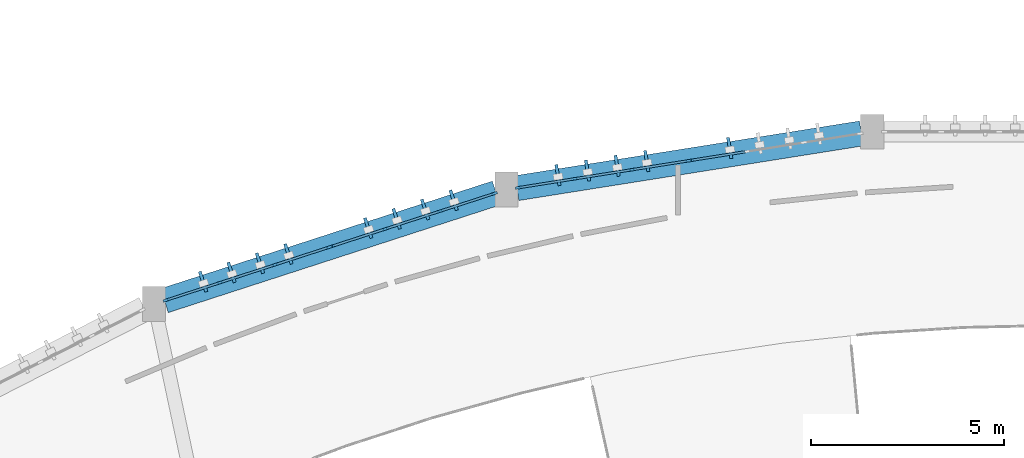
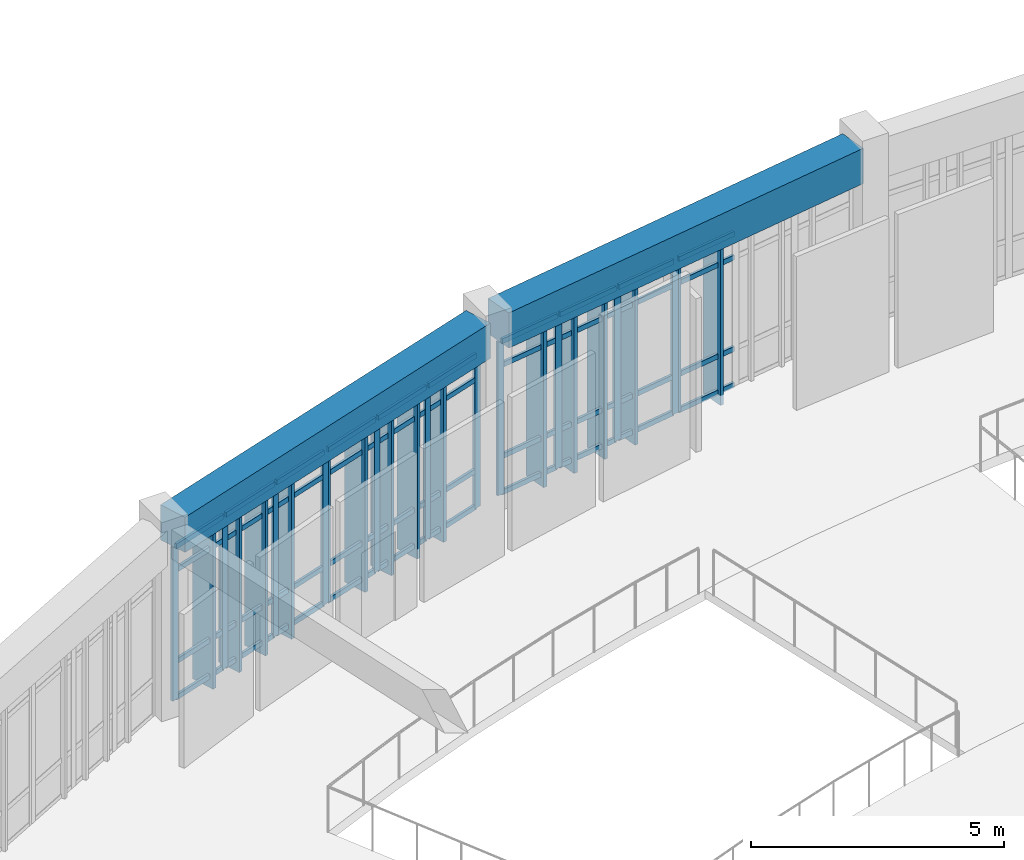
# One storey, part 19 of 65: 66 members, 2 beams, 4 elements without a shape of their own.
"""IFC4 building model written with IfcOpenShell, lengths in metres."""

from ifc_helpers import new_model, si_unit, direction, frame, origin, origin_2d, place, context, subcontext, project, spatial, rectangle, extrude, material, layer, layer_set, material_profile, profile_set, type_object, element, aggregate, save


model = new_model("IFC4")

# Units and contexts
model_context = context("Model", 3, precision=1e-05, world=origin(), true_north=direction((0.0, 1.0)))
body_context = subcontext(model_context, "Body", "Model", "MODEL_VIEW")
ifc_project = project(units=[si_unit("LENGTHUNIT", "METRE"), si_unit("AREAUNIT", "SQUARE_METRE"), si_unit("VOLUMEUNIT", "CUBIC_METRE"), si_unit("PLANEANGLEUNIT", "RADIAN"), si_unit("MASSUNIT", "GRAM", prefix="KILO")], contexts=[model_context])

# Site, building, storey
site_placement = place(None, origin())
site = spatial("IfcSite", under=ifc_project, at=site_placement, CompositionType="ELEMENT")
building_placement = place(site_placement, origin())
building = spatial("IfcBuilding", under=site, at=building_placement, Name="Miralva Faculty of Natural Sciences", CompositionType="ELEMENT")
storey_placement = place(building_placement, frame((0.0, 0.0, 10.199951171875)))
storey = spatial("IfcBuildingStorey", under=building, at=storey_placement, Name="L02", CompositionType="ELEMENT", Elevation=10.199951171875)

# Beams
ifc_material_1 = material(Name="Concrete C40/50", Category="concrete")
ifc_material_profile_1 = material_profile(ifc_material_1, rectangle(XDim=0.64990234375, YDim=0.85009765625, at=origin_2d()), Name="RC 650x850")
ifc_profile_set_1 = profile_set([ifc_material_profile_1], Name="Concrete C40/50")
beam_type = type_object("IfcBeamType", Name="BM-SP03", PredefinedType="SPANDREL", material=ifc_profile_set_1)
beam_1_placement = place(storey_placement, frame((84.9375, 39.7666015625, 4.135009765625), z_axis=(-0.987637724409, -0.156753709124, 0.0), x_axis=(0.156753709124, -0.987637724409, 0.0)))
element("IfcBeam", 1, at=beam_1_placement, inside=storey, type_object=beam_type, Name="Curved chord girder SHOUT L02-6", PredefinedType="SPANDREL", context=body_context, shape_type="SweptSolid", body=[
    extrude(rectangle(XDim=0.64990234375, YDim=0.85009765625, at=origin_2d()), origin(), (0.0, 0.0, 1.0), 9.016357421875),
])
beam_2_placement = place(storey_placement, frame((75.49755859375, 38.224853515625, 4.135009765625), z_axis=(-0.951264483171, -0.30837620378, 0.0), x_axis=(0.30837620378, -0.951264483171, 0.0)))
element("IfcBeam", 2, at=beam_2_placement, inside=storey, type_object=beam_type, Name="Curved chord girder SHOUT L02-7", PredefinedType="SPANDREL", context=body_context, shape_type="SweptSolid", body=[
    extrude(rectangle(XDim=0.64990234375, YDim=0.85009765625, at=origin_2d()), origin(), (0.0, 0.0, 1.0), 9.01416015625),
])

# Curtain wall, members
ifc_material_2 = material(Name="Laminated solar-control glass", Category="glass")
ifc_layer = layer(ifc_material_2, 0.179931640625, Name="CW-ARC-L01")
ifc_layer_set = layer_set([ifc_layer], Name="Laminated solar-control glass")
curtain_wall_type = type_object("IfcCurtainWallType", Name="CW-ARC-L01", PredefinedType="USERDEFINED", material=ifc_layer_set)
curtain_wall_1_placement = place(storey_placement, origin())
curtain_wall_1 = element("IfcCurtainWall", 3, at=curtain_wall_1_placement, inside=storey, type_object=curtain_wall_type, Name="Curtain wall CW-02 L02-81", ObjectType="UNITISED CURTAIN WALL", PredefinedType="USERDEFINED")
ifc_material_3 = material(Name="Anodised aluminium", Category="aluminium")
ifc_material_profile_2 = material_profile(ifc_material_3, rectangle(XDim=0.06494140625, YDim=0.159912109375, at=origin_2d()), Name="MULLION 65x160")
ifc_profile_set_2 = profile_set([ifc_material_profile_2], Name="Anodised aluminium")
member_type_1 = type_object("IfcMemberType", Name="CW-M02", PredefinedType="MULLION", material=ifc_profile_set_2)
member_1_placement = place(storey_placement, frame((66.9677734375, 35.457763671875, 0.0), z_axis=(0.0, 0.0, 1.0), x_axis=(-0.309011053363, 0.951058446626, 0.0)))
member_1 = element("IfcMember", 4, at=member_1_placement, type_object=member_type_1, Name="CW-02 mullion 1", PredefinedType="MULLION", context=body_context, shape_type="SweptSolid", body=[
    extrude(rectangle(XDim=0.06494140625, YDim=0.159912109375, at=origin_2d()), origin(), (0.0, 0.0, 1.0), 3.705078125),
])
member_2_placement = place(storey_placement, frame((68.360595703125, 35.910400390625, 0.0), z_axis=(0.0, 0.0, 1.0), x_axis=(-0.309011053363, 0.951058446626, 0.0)))
member_2 = element("IfcMember", 5, at=member_2_placement, type_object=member_type_1, Name="CW-02 mullion 2", PredefinedType="MULLION", context=body_context, shape_type="SweptSolid", body=[
    extrude(rectangle(XDim=0.06494140625, YDim=0.159912109375, at=origin_2d()), origin(), (0.0, 0.0, 1.0), 3.705078125),
])
member_3_placement = place(storey_placement, frame((69.784423828125, 36.373046875, 0.0), z_axis=(0.0, 0.0, 1.0), x_axis=(-0.309011053363, 0.951058446626, 0.0)))
member_3 = element("IfcMember", 6, at=member_3_placement, type_object=member_type_1, Name="CW-02 mullion 3", PredefinedType="MULLION", context=body_context, shape_type="SweptSolid", body=[
    extrude(rectangle(XDim=0.06494140625, YDim=0.159912109375, at=origin_2d()), origin(), (0.0, 0.0, 1.0), 3.705078125),
])
member_4_placement = place(storey_placement, frame((71.17724609375, 36.825439453125, 0.0), z_axis=(0.0, 0.0, 1.0), x_axis=(-0.309011053363, 0.951058446626, 0.0)))
member_4 = element("IfcMember", 7, at=member_4_placement, type_object=member_type_1, Name="CW-02 mullion 4", PredefinedType="MULLION", context=body_context, shape_type="SweptSolid", body=[
    extrude(rectangle(XDim=0.06494140625, YDim=0.159912109375, at=origin_2d()), origin(), (0.0, 0.0, 1.0), 3.705078125),
])

curtain_wall_2_placement = place(storey_placement, origin())
curtain_wall_2 = element("IfcCurtainWall", 8, at=curtain_wall_2_placement, inside=storey, type_object=curtain_wall_type, Name="Curtain wall CW-02 L02-82", ObjectType="UNITISED CURTAIN WALL", PredefinedType="USERDEFINED")
member_5_placement = place(storey_placement, frame((71.234130859375, 36.84423828125, 0.0), z_axis=(0.0, 0.0, 1.0), x_axis=(-0.309005603375, 0.95106021738, 0.0)))
member_5 = element("IfcMember", 9, at=member_5_placement, type_object=member_type_1, Name="CW-02 mullion 1", PredefinedType="MULLION", context=body_context, shape_type="SweptSolid", body=[
    extrude(rectangle(XDim=0.06494140625, YDim=0.159912109375, at=origin_2d()), origin(), (0.0, 0.0, 1.0), 3.705078125),
])
member_6_placement = place(storey_placement, frame((72.628662109375, 37.297119140625, 0.0), z_axis=(0.0, 0.0, 1.0), x_axis=(-0.309005603375, 0.95106021738, 0.0)))
member_6 = element("IfcMember", 10, at=member_6_placement, type_object=member_type_1, Name="CW-02 mullion 2", PredefinedType="MULLION", context=body_context, shape_type="SweptSolid", body=[
    extrude(rectangle(XDim=0.06494140625, YDim=0.159912109375, at=origin_2d()), origin(), (0.0, 0.0, 1.0), 3.705078125),
])
member_7_placement = place(storey_placement, frame((74.053955078125, 37.76025390625, 0.0), z_axis=(0.0, 0.0, 1.0), x_axis=(-0.309005603375, 0.95106021738, 0.0)))
member_7 = element("IfcMember", 11, at=member_7_placement, type_object=member_type_1, Name="CW-02 mullion 3", PredefinedType="MULLION", context=body_context, shape_type="SweptSolid", body=[
    extrude(rectangle(XDim=0.06494140625, YDim=0.159912109375, at=origin_2d()), origin(), (0.0, 0.0, 1.0), 3.705078125),
])
member_8_placement = place(storey_placement, frame((75.448486328125, 38.21337890625, 0.0), z_axis=(0.0, 0.0, 1.0), x_axis=(-0.309005603375, 0.95106021738, 0.0)))
member_8 = element("IfcMember", 12, at=member_8_placement, type_object=member_type_1, Name="CW-02 mullion 4", PredefinedType="MULLION", context=body_context, shape_type="SweptSolid", body=[
    extrude(rectangle(XDim=0.06494140625, YDim=0.159912109375, at=origin_2d()), origin(), (0.0, 0.0, 1.0), 3.705078125),
])

curtain_wall_3_placement = place(storey_placement, origin())
curtain_wall_3 = element("IfcCurtainWall", 13, at=curtain_wall_3_placement, inside=storey, type_object=curtain_wall_type, Name="Curtain wall CW-02 L02-83", ObjectType="UNITISED CURTAIN WALL", PredefinedType="USERDEFINED")
member_9_placement = place(storey_placement, frame((76.073486328125, 38.3642578125, 0.0), z_axis=(0.0, 0.0, 1.0), x_axis=(-0.156431459367, 0.987688816642, 0.0)))
member_9 = element("IfcMember", 14, at=member_9_placement, type_object=member_type_1, Name="CW-02 mullion 1", PredefinedType="MULLION", context=body_context, shape_type="SweptSolid", body=[
    extrude(rectangle(XDim=0.06494140625, YDim=0.159912109375, at=origin_2d()), origin(), (0.0, 0.0, 1.0), 3.705078125),
])
member_10_placement = place(storey_placement, frame((77.523193359375, 38.593994140625, 0.0), z_axis=(0.0, 0.0, 1.0), x_axis=(-0.156431459367, 0.987688816642, 0.0)))
member_10 = element("IfcMember", 15, at=member_10_placement, type_object=member_type_1, Name="CW-02 mullion 2", PredefinedType="MULLION", context=body_context, shape_type="SweptSolid", body=[
    extrude(rectangle(XDim=0.06494140625, YDim=0.159912109375, at=origin_2d()), origin(), (0.0, 0.0, 1.0), 3.705078125),
])
member_11_placement = place(storey_placement, frame((79.005126953125, 38.82861328125, 0.0), z_axis=(0.0, 0.0, 1.0), x_axis=(-0.156431459367, 0.987688816642, 0.0)))
member_11 = element("IfcMember", 16, at=member_11_placement, type_object=member_type_1, Name="CW-02 mullion 3", PredefinedType="MULLION", context=body_context, shape_type="SweptSolid", body=[
    extrude(rectangle(XDim=0.06494140625, YDim=0.159912109375, at=origin_2d()), origin(), (0.0, 0.0, 1.0), 3.705078125),
])
member_12_placement = place(storey_placement, frame((80.454833984375, 39.05810546875, 0.0), z_axis=(0.0, 0.0, 1.0), x_axis=(-0.156431459367, 0.987688816642, 0.0)))
member_12 = element("IfcMember", 17, at=member_12_placement, type_object=member_type_1, Name="CW-02 mullion 4", PredefinedType="MULLION", context=body_context, shape_type="SweptSolid", body=[
    extrude(rectangle(XDim=0.06494140625, YDim=0.159912109375, at=origin_2d()), origin(), (0.0, 0.0, 1.0), 3.705078125),
])

# Curtain wall, member
curtain_wall_4_placement = place(storey_placement, origin())
curtain_wall_4 = element("IfcCurtainWall", 18, at=curtain_wall_4_placement, inside=storey, type_object=curtain_wall_type, Name="Curtain wall CW-02 L02-84", ObjectType="UNITISED CURTAIN WALL", PredefinedType="USERDEFINED")
member_13_placement = place(storey_placement, frame((80.51416015625, 39.067626953125, 0.0), z_axis=(0.0, 0.0, 1.0), x_axis=(-0.156414990722, 0.987691424827, 0.0)))
member_13 = element("IfcMember", 19, at=member_13_placement, type_object=member_type_1, Name="CW-02 mullion 1", PredefinedType="MULLION", context=body_context, shape_type="SweptSolid", body=[
    extrude(rectangle(XDim=0.06494140625, YDim=0.159912109375, at=origin_2d()), origin(), (0.0, 0.0, 1.0), 3.705078125),
])

# Member
ifc_material_profile_3 = material_profile(ifc_material_3, rectangle(XDim=0.06005859375, YDim=0.1201171875, at=origin_2d()), Name="TRANSOM 60x120")
ifc_profile_set_3 = profile_set([ifc_material_profile_3], Name="Anodised aluminium")
member_type_2 = type_object("IfcMemberType", Name="CW-T02", PredefinedType="USERDEFINED", material=ifc_profile_set_3)
member_14_placement = place(storey_placement, frame((66.99853515625, 35.4677734375, 0.030029296875), z_axis=(0.951028941009, 0.309101849499, 0.0), x_axis=(-0.309101849499, 0.951028941009, 0.0)))
member_14 = element("IfcMember", 20, at=member_14_placement, type_object=member_type_2, Name="CW-02 transom 1.1", ObjectType="TRANSOM", PredefinedType="USERDEFINED", context=body_context, shape_type="SweptSolid", body=[
    extrude(rectangle(XDim=0.06005859375, YDim=0.1201171875, at=origin_2d()), origin(), (0.0, 0.0, 1.0), 1.399658203125),
])

member_15_placement = place(storey_placement, frame((66.99853515625, 35.4677734375, 0.900146484375), z_axis=(0.951028941009, 0.309101849499, 0.0), x_axis=(-0.309101849499, 0.951028941009, 0.0)))
member_15 = element("IfcMember", 21, at=member_15_placement, type_object=member_type_2, Name="CW-02 transom 1.2", ObjectType="TRANSOM", PredefinedType="USERDEFINED", context=body_context, shape_type="SweptSolid", body=[
    extrude(rectangle(XDim=0.06005859375, YDim=0.1201171875, at=origin_2d()), origin(), (0.0, 0.0, 1.0), 1.399658203125),
])

member_16_placement = place(storey_placement, frame((66.99853515625, 35.4677734375, 3.10498046875), z_axis=(0.951028941009, 0.309101849499, 0.0), x_axis=(-0.309101849499, 0.951028941009, 0.0)))
member_16 = element("IfcMember", 22, at=member_16_placement, type_object=member_type_2, Name="CW-02 transom 1.3", ObjectType="TRANSOM", PredefinedType="USERDEFINED", context=body_context, shape_type="SweptSolid", body=[
    extrude(rectangle(XDim=0.06005859375, YDim=0.1201171875, at=origin_2d()), origin(), (0.0, 0.0, 1.0), 1.399658203125),
])

member_17_placement = place(storey_placement, frame((66.99853515625, 35.4677734375, 3.675048828125), z_axis=(0.951028941009, 0.309101849499, 0.0), x_axis=(-0.309101849499, 0.951028941009, 0.0)))
member_17 = element("IfcMember", 23, at=member_17_placement, type_object=member_type_2, Name="CW-02 transom 1.4", ObjectType="TRANSOM", PredefinedType="USERDEFINED", context=body_context, shape_type="SweptSolid", body=[
    extrude(rectangle(XDim=0.06005859375, YDim=0.1201171875, at=origin_2d()), origin(), (0.0, 0.0, 1.0), 1.399658203125),
])

member_18_placement = place(storey_placement, frame((68.391357421875, 35.92041015625, 0.030029296875), z_axis=(0.951042837494, 0.309059090227, 0.0), x_axis=(-0.309059090227, 0.951042837494, 0.0)))
member_18 = element("IfcMember", 24, at=member_18_placement, type_object=member_type_2, Name="CW-02 transom 2.1", ObjectType="TRANSOM", PredefinedType="USERDEFINED", context=body_context, shape_type="SweptSolid", body=[
    extrude(rectangle(XDim=0.06005859375, YDim=0.1201171875, at=origin_2d()), origin(), (0.0, 0.0, 1.0), 1.43212890625),
])

member_19_placement = place(storey_placement, frame((68.391357421875, 35.92041015625, 0.900146484375), z_axis=(0.951042837494, 0.309059090227, 0.0), x_axis=(-0.309059090227, 0.951042837494, 0.0)))
member_19 = element("IfcMember", 25, at=member_19_placement, type_object=member_type_2, Name="CW-02 transom 2.2", ObjectType="TRANSOM", PredefinedType="USERDEFINED", context=body_context, shape_type="SweptSolid", body=[
    extrude(rectangle(XDim=0.06005859375, YDim=0.1201171875, at=origin_2d()), origin(), (0.0, 0.0, 1.0), 1.43212890625),
])

member_20_placement = place(storey_placement, frame((68.391357421875, 35.92041015625, 3.10498046875), z_axis=(0.951042837494, 0.309059090227, 0.0), x_axis=(-0.309059090227, 0.951042837494, 0.0)))
member_20 = element("IfcMember", 26, at=member_20_placement, type_object=member_type_2, Name="CW-02 transom 2.3", ObjectType="TRANSOM", PredefinedType="USERDEFINED", context=body_context, shape_type="SweptSolid", body=[
    extrude(rectangle(XDim=0.06005859375, YDim=0.1201171875, at=origin_2d()), origin(), (0.0, 0.0, 1.0), 1.43212890625),
])

member_21_placement = place(storey_placement, frame((68.391357421875, 35.92041015625, 3.675048828125), z_axis=(0.951042837494, 0.309059090227, 0.0), x_axis=(-0.309059090227, 0.951042837494, 0.0)))
member_21 = element("IfcMember", 27, at=member_21_placement, type_object=member_type_2, Name="CW-02 transom 2.4", ObjectType="TRANSOM", PredefinedType="USERDEFINED", context=body_context, shape_type="SweptSolid", body=[
    extrude(rectangle(XDim=0.06005859375, YDim=0.1201171875, at=origin_2d()), origin(), (0.0, 0.0, 1.0), 1.43212890625),
])

member_22_placement = place(storey_placement, frame((69.815185546875, 36.383056640625, 0.030029296875), z_axis=(0.951080208938, 0.308944066403, 0.0), x_axis=(-0.308944066403, 0.951080208938, 0.0)))
member_22 = element("IfcMember", 28, at=member_22_placement, type_object=member_type_2, Name="CW-02 transom 3.1", ObjectType="TRANSOM", PredefinedType="USERDEFINED", context=body_context, shape_type="SweptSolid", body=[
    extrude(rectangle(XDim=0.06005859375, YDim=0.1201171875, at=origin_2d()), origin(), (0.0, 0.0, 1.0), 1.3994140625),
])

member_23_placement = place(storey_placement, frame((69.815185546875, 36.383056640625, 0.900146484375), z_axis=(0.951080208938, 0.308944066403, 0.0), x_axis=(-0.308944066403, 0.951080208938, 0.0)))
member_23 = element("IfcMember", 29, at=member_23_placement, type_object=member_type_2, Name="CW-02 transom 3.2", ObjectType="TRANSOM", PredefinedType="USERDEFINED", context=body_context, shape_type="SweptSolid", body=[
    extrude(rectangle(XDim=0.06005859375, YDim=0.1201171875, at=origin_2d()), origin(), (0.0, 0.0, 1.0), 1.3994140625),
])

member_24_placement = place(storey_placement, frame((69.815185546875, 36.383056640625, 3.10498046875), z_axis=(0.951080208938, 0.308944066403, 0.0), x_axis=(-0.308944066403, 0.951080208938, 0.0)))
member_24 = element("IfcMember", 30, at=member_24_placement, type_object=member_type_2, Name="CW-02 transom 3.3", ObjectType="TRANSOM", PredefinedType="USERDEFINED", context=body_context, shape_type="SweptSolid", body=[
    extrude(rectangle(XDim=0.06005859375, YDim=0.1201171875, at=origin_2d()), origin(), (0.0, 0.0, 1.0), 1.3994140625),
])

member_25_placement = place(storey_placement, frame((69.815185546875, 36.383056640625, 3.675048828125), z_axis=(0.951080208938, 0.308944066403, 0.0), x_axis=(-0.308944066403, 0.951080208938, 0.0)))
member_25 = element("IfcMember", 31, at=member_25_placement, type_object=member_type_2, Name="CW-02 transom 3.4", ObjectType="TRANSOM", PredefinedType="USERDEFINED", context=body_context, shape_type="SweptSolid", body=[
    extrude(rectangle(XDim=0.06005859375, YDim=0.1201171875, at=origin_2d()), origin(), (0.0, 0.0, 1.0), 1.3994140625),
])

aggregate(curtain_wall_1, [member_1, member_2, member_3, member_4, member_14, member_15, member_16, member_17, member_18, member_19, member_20, member_21, member_22, member_23, member_24, member_25])

member_26_placement = place(storey_placement, frame((71.26513671875, 36.854248046875, 0.030029296875), z_axis=(0.951077598136, 0.308952103608, 0.0), x_axis=(-0.308952103608, 0.951077598136, 0.0)))
member_26 = element("IfcMember", 32, at=member_26_placement, type_object=member_type_2, Name="CW-02 transom 1.1", ObjectType="TRANSOM", PredefinedType="USERDEFINED", context=body_context, shape_type="SweptSolid", body=[
    extrude(rectangle(XDim=0.06005859375, YDim=0.1201171875, at=origin_2d()), origin(), (0.0, 0.0, 1.0), 1.401123046875),
])

member_27_placement = place(storey_placement, frame((71.26513671875, 36.854248046875, 0.900146484375), z_axis=(0.951077598136, 0.308952103608, 0.0), x_axis=(-0.308952103608, 0.951077598136, 0.0)))
member_27 = element("IfcMember", 33, at=member_27_placement, type_object=member_type_2, Name="CW-02 transom 1.2", ObjectType="TRANSOM", PredefinedType="USERDEFINED", context=body_context, shape_type="SweptSolid", body=[
    extrude(rectangle(XDim=0.06005859375, YDim=0.1201171875, at=origin_2d()), origin(), (0.0, 0.0, 1.0), 1.401123046875),
])

member_28_placement = place(storey_placement, frame((71.26513671875, 36.854248046875, 3.10498046875), z_axis=(0.951077598136, 0.308952103608, 0.0), x_axis=(-0.308952103608, 0.951077598136, 0.0)))
member_28 = element("IfcMember", 34, at=member_28_placement, type_object=member_type_2, Name="CW-02 transom 1.3", ObjectType="TRANSOM", PredefinedType="USERDEFINED", context=body_context, shape_type="SweptSolid", body=[
    extrude(rectangle(XDim=0.06005859375, YDim=0.1201171875, at=origin_2d()), origin(), (0.0, 0.0, 1.0), 1.401123046875),
])

member_29_placement = place(storey_placement, frame((71.26513671875, 36.854248046875, 3.675048828125), z_axis=(0.951077598136, 0.308952103608, 0.0), x_axis=(-0.308952103608, 0.951077598136, 0.0)))
member_29 = element("IfcMember", 35, at=member_29_placement, type_object=member_type_2, Name="CW-02 transom 1.4", ObjectType="TRANSOM", PredefinedType="USERDEFINED", context=body_context, shape_type="SweptSolid", body=[
    extrude(rectangle(XDim=0.06005859375, YDim=0.1201171875, at=origin_2d()), origin(), (0.0, 0.0, 1.0), 1.401123046875),
])

member_30_placement = place(storey_placement, frame((72.659423828125, 37.30712890625, 0.030029296875), z_axis=(0.951040325466, 0.309066820183, 0.0), x_axis=(-0.309066820183, 0.951040325466, 0.0)))
member_30 = element("IfcMember", 36, at=member_30_placement, type_object=member_type_2, Name="CW-02 transom 2.1", ObjectType="TRANSOM", PredefinedType="USERDEFINED", context=body_context, shape_type="SweptSolid", body=[
    extrude(rectangle(XDim=0.06005859375, YDim=0.1201171875, at=origin_2d()), origin(), (0.0, 0.0, 1.0), 1.433837890625),
])

member_31_placement = place(storey_placement, frame((72.659423828125, 37.30712890625, 0.900146484375), z_axis=(0.951040325466, 0.309066820183, 0.0), x_axis=(-0.309066820183, 0.951040325466, 0.0)))
member_31 = element("IfcMember", 37, at=member_31_placement, type_object=member_type_2, Name="CW-02 transom 2.2", ObjectType="TRANSOM", PredefinedType="USERDEFINED", context=body_context, shape_type="SweptSolid", body=[
    extrude(rectangle(XDim=0.06005859375, YDim=0.1201171875, at=origin_2d()), origin(), (0.0, 0.0, 1.0), 1.433837890625),
])

member_32_placement = place(storey_placement, frame((72.659423828125, 37.30712890625, 3.10498046875), z_axis=(0.951040325466, 0.309066820183, 0.0), x_axis=(-0.309066820183, 0.951040325466, 0.0)))
member_32 = element("IfcMember", 38, at=member_32_placement, type_object=member_type_2, Name="CW-02 transom 2.3", ObjectType="TRANSOM", PredefinedType="USERDEFINED", context=body_context, shape_type="SweptSolid", body=[
    extrude(rectangle(XDim=0.06005859375, YDim=0.1201171875, at=origin_2d()), origin(), (0.0, 0.0, 1.0), 1.433837890625),
])

member_33_placement = place(storey_placement, frame((72.659423828125, 37.30712890625, 3.675048828125), z_axis=(0.951040325466, 0.309066820183, 0.0), x_axis=(-0.309066820183, 0.951040325466, 0.0)))
member_33 = element("IfcMember", 39, at=member_33_placement, type_object=member_type_2, Name="CW-02 transom 2.4", ObjectType="TRANSOM", PredefinedType="USERDEFINED", context=body_context, shape_type="SweptSolid", body=[
    extrude(rectangle(XDim=0.06005859375, YDim=0.1201171875, at=origin_2d()), origin(), (0.0, 0.0, 1.0), 1.433837890625),
])

member_34_placement = place(storey_placement, frame((74.0849609375, 37.770263671875, 0.030029296875), z_axis=(0.951026385526, 0.309109711968, 0.0), x_axis=(-0.309109711968, 0.951026385526, 0.0)))
member_34 = element("IfcMember", 40, at=member_34_placement, type_object=member_type_2, Name="CW-02 transom 3.1", ObjectType="TRANSOM", PredefinedType="USERDEFINED", context=body_context, shape_type="SweptSolid", body=[
    extrude(rectangle(XDim=0.06005859375, YDim=0.1201171875, at=origin_2d()), origin(), (0.0, 0.0, 1.0), 1.401123046875),
])

member_35_placement = place(storey_placement, frame((74.0849609375, 37.770263671875, 0.900146484375), z_axis=(0.951026385526, 0.309109711968, 0.0), x_axis=(-0.309109711968, 0.951026385526, 0.0)))
member_35 = element("IfcMember", 41, at=member_35_placement, type_object=member_type_2, Name="CW-02 transom 3.2", ObjectType="TRANSOM", PredefinedType="USERDEFINED", context=body_context, shape_type="SweptSolid", body=[
    extrude(rectangle(XDim=0.06005859375, YDim=0.1201171875, at=origin_2d()), origin(), (0.0, 0.0, 1.0), 1.401123046875),
])

member_36_placement = place(storey_placement, frame((74.0849609375, 37.770263671875, 3.10498046875), z_axis=(0.951026385526, 0.309109711968, 0.0), x_axis=(-0.309109711968, 0.951026385526, 0.0)))
member_36 = element("IfcMember", 42, at=member_36_placement, type_object=member_type_2, Name="CW-02 transom 3.3", ObjectType="TRANSOM", PredefinedType="USERDEFINED", context=body_context, shape_type="SweptSolid", body=[
    extrude(rectangle(XDim=0.06005859375, YDim=0.1201171875, at=origin_2d()), origin(), (0.0, 0.0, 1.0), 1.401123046875),
])

member_37_placement = place(storey_placement, frame((74.0849609375, 37.770263671875, 3.675048828125), z_axis=(0.951026385526, 0.309109711968, 0.0), x_axis=(-0.309109711968, 0.951026385526, 0.0)))
member_37 = element("IfcMember", 43, at=member_37_placement, type_object=member_type_2, Name="CW-02 transom 3.4", ObjectType="TRANSOM", PredefinedType="USERDEFINED", context=body_context, shape_type="SweptSolid", body=[
    extrude(rectangle(XDim=0.06005859375, YDim=0.1201171875, at=origin_2d()), origin(), (0.0, 0.0, 1.0), 1.401123046875),
])

aggregate(curtain_wall_2, [member_5, member_6, member_7, member_8, member_26, member_27, member_28, member_29, member_30, member_31, member_32, member_33, member_34, member_35, member_36, member_37])

member_38_placement = place(storey_placement, frame((76.10546875, 38.369384765625, 0.030029296875), z_axis=(0.987683814422, 0.1564630395, 0.0), x_axis=(-0.1564630395, 0.987683814422, 0.0)))
member_38 = element("IfcMember", 44, at=member_38_placement, type_object=member_type_2, Name="CW-02 transom 1.1", ObjectType="TRANSOM", PredefinedType="USERDEFINED", context=body_context, shape_type="SweptSolid", body=[
    extrude(rectangle(XDim=0.06005859375, YDim=0.1201171875, at=origin_2d()), origin(), (0.0, 0.0, 1.0), 1.40283203125),
])

member_39_placement = place(storey_placement, frame((76.10546875, 38.369384765625, 0.900146484375), z_axis=(0.987683814422, 0.1564630395, 0.0), x_axis=(-0.1564630395, 0.987683814422, 0.0)))
member_39 = element("IfcMember", 45, at=member_39_placement, type_object=member_type_2, Name="CW-02 transom 1.2", ObjectType="TRANSOM", PredefinedType="USERDEFINED", context=body_context, shape_type="SweptSolid", body=[
    extrude(rectangle(XDim=0.06005859375, YDim=0.1201171875, at=origin_2d()), origin(), (0.0, 0.0, 1.0), 1.40283203125),
])

member_40_placement = place(storey_placement, frame((76.10546875, 38.369384765625, 3.10498046875), z_axis=(0.987683814422, 0.1564630395, 0.0), x_axis=(-0.1564630395, 0.987683814422, 0.0)))
member_40 = element("IfcMember", 46, at=member_40_placement, type_object=member_type_2, Name="CW-02 transom 1.3", ObjectType="TRANSOM", PredefinedType="USERDEFINED", context=body_context, shape_type="SweptSolid", body=[
    extrude(rectangle(XDim=0.06005859375, YDim=0.1201171875, at=origin_2d()), origin(), (0.0, 0.0, 1.0), 1.40283203125),
])

member_41_placement = place(storey_placement, frame((76.10546875, 38.369384765625, 3.675048828125), z_axis=(0.987683814422, 0.1564630395, 0.0), x_axis=(-0.1564630395, 0.987683814422, 0.0)))
member_41 = element("IfcMember", 47, at=member_41_placement, type_object=member_type_2, Name="CW-02 transom 1.4", ObjectType="TRANSOM", PredefinedType="USERDEFINED", context=body_context, shape_type="SweptSolid", body=[
    extrude(rectangle(XDim=0.06005859375, YDim=0.1201171875, at=origin_2d()), origin(), (0.0, 0.0, 1.0), 1.40283203125),
])

member_42_placement = place(storey_placement, frame((77.55517578125, 38.598876953125, 0.030029296875), z_axis=(0.987681466101, 0.15647786272, 0.0), x_axis=(-0.15647786272, 0.987681466101, 0.0)))
member_42 = element("IfcMember", 48, at=member_42_placement, type_object=member_type_2, Name="CW-02 transom 2.1", ObjectType="TRANSOM", PredefinedType="USERDEFINED", context=body_context, shape_type="SweptSolid", body=[
    extrude(rectangle(XDim=0.06005859375, YDim=0.1201171875, at=origin_2d()), origin(), (0.0, 0.0, 1.0), 1.435302734375),
])

member_43_placement = place(storey_placement, frame((77.55517578125, 38.598876953125, 0.900146484375), z_axis=(0.987681466101, 0.15647786272, 0.0), x_axis=(-0.15647786272, 0.987681466101, 0.0)))
member_43 = element("IfcMember", 49, at=member_43_placement, type_object=member_type_2, Name="CW-02 transom 2.2", ObjectType="TRANSOM", PredefinedType="USERDEFINED", context=body_context, shape_type="SweptSolid", body=[
    extrude(rectangle(XDim=0.06005859375, YDim=0.1201171875, at=origin_2d()), origin(), (0.0, 0.0, 1.0), 1.435302734375),
])

member_44_placement = place(storey_placement, frame((77.55517578125, 38.598876953125, 3.10498046875), z_axis=(0.987681466101, 0.15647786272, 0.0), x_axis=(-0.15647786272, 0.987681466101, 0.0)))
member_44 = element("IfcMember", 50, at=member_44_placement, type_object=member_type_2, Name="CW-02 transom 2.3", ObjectType="TRANSOM", PredefinedType="USERDEFINED", context=body_context, shape_type="SweptSolid", body=[
    extrude(rectangle(XDim=0.06005859375, YDim=0.1201171875, at=origin_2d()), origin(), (0.0, 0.0, 1.0), 1.435302734375),
])

member_45_placement = place(storey_placement, frame((77.55517578125, 38.598876953125, 3.675048828125), z_axis=(0.987681466101, 0.15647786272, 0.0), x_axis=(-0.15647786272, 0.987681466101, 0.0)))
member_45 = element("IfcMember", 51, at=member_45_placement, type_object=member_type_2, Name="CW-02 transom 2.4", ObjectType="TRANSOM", PredefinedType="USERDEFINED", context=body_context, shape_type="SweptSolid", body=[
    extrude(rectangle(XDim=0.06005859375, YDim=0.1201171875, at=origin_2d()), origin(), (0.0, 0.0, 1.0), 1.435302734375),
])

member_46_placement = place(storey_placement, frame((79.037109375, 38.833740234375, 0.030029296875), z_axis=(0.987683814422, 0.1564630395, 0.0), x_axis=(-0.1564630395, 0.987683814422, 0.0)))
member_46 = element("IfcMember", 52, at=member_46_placement, type_object=member_type_2, Name="CW-02 transom 3.1", ObjectType="TRANSOM", PredefinedType="USERDEFINED", context=body_context, shape_type="SweptSolid", body=[
    extrude(rectangle(XDim=0.06005859375, YDim=0.1201171875, at=origin_2d()), origin(), (0.0, 0.0, 1.0), 1.40283203125),
])

member_47_placement = place(storey_placement, frame((79.037109375, 38.833740234375, 0.900146484375), z_axis=(0.987683814422, 0.1564630395, 0.0), x_axis=(-0.1564630395, 0.987683814422, 0.0)))
member_47 = element("IfcMember", 53, at=member_47_placement, type_object=member_type_2, Name="CW-02 transom 3.2", ObjectType="TRANSOM", PredefinedType="USERDEFINED", context=body_context, shape_type="SweptSolid", body=[
    extrude(rectangle(XDim=0.06005859375, YDim=0.1201171875, at=origin_2d()), origin(), (0.0, 0.0, 1.0), 1.40283203125),
])

member_48_placement = place(storey_placement, frame((79.037109375, 38.833740234375, 3.10498046875), z_axis=(0.987683814422, 0.1564630395, 0.0), x_axis=(-0.1564630395, 0.987683814422, 0.0)))
member_48 = element("IfcMember", 54, at=member_48_placement, type_object=member_type_2, Name="CW-02 transom 3.3", ObjectType="TRANSOM", PredefinedType="USERDEFINED", context=body_context, shape_type="SweptSolid", body=[
    extrude(rectangle(XDim=0.06005859375, YDim=0.1201171875, at=origin_2d()), origin(), (0.0, 0.0, 1.0), 1.40283203125),
])

member_49_placement = place(storey_placement, frame((79.037109375, 38.833740234375, 3.675048828125), z_axis=(0.987683814422, 0.1564630395, 0.0), x_axis=(-0.1564630395, 0.987683814422, 0.0)))
member_49 = element("IfcMember", 55, at=member_49_placement, type_object=member_type_2, Name="CW-02 transom 3.4", ObjectType="TRANSOM", PredefinedType="USERDEFINED", context=body_context, shape_type="SweptSolid", body=[
    extrude(rectangle(XDim=0.06005859375, YDim=0.1201171875, at=origin_2d()), origin(), (0.0, 0.0, 1.0), 1.40283203125),
])

aggregate(curtain_wall_3, [member_9, member_10, member_11, member_12, member_38, member_39, member_40, member_41, member_42, member_43, member_44, member_45, member_46, member_47, member_48, member_49])

member_50_placement = place(storey_placement, frame((80.546142578125, 39.07275390625, 0.030029296875), z_axis=(0.987713585208, 0.156274993506, 0.0), x_axis=(-0.156274993506, 0.987713585208, 0.0)))
member_50 = element("IfcMember", 56, at=member_50_placement, type_object=member_type_2, Name="CW-02 transom 1.1", ObjectType="TRANSOM", PredefinedType="USERDEFINED", context=body_context, shape_type="SweptSolid", body=[
    extrude(rectangle(XDim=0.06005859375, YDim=0.1201171875, at=origin_2d()), origin(), (0.0, 0.0, 1.0), 1.404541015625),
])

member_51_placement = place(storey_placement, frame((80.546142578125, 39.07275390625, 0.900146484375), z_axis=(0.987713585208, 0.156274993506, 0.0), x_axis=(-0.156274993506, 0.987713585208, 0.0)))
member_51 = element("IfcMember", 57, at=member_51_placement, type_object=member_type_2, Name="CW-02 transom 1.2", ObjectType="TRANSOM", PredefinedType="USERDEFINED", context=body_context, shape_type="SweptSolid", body=[
    extrude(rectangle(XDim=0.06005859375, YDim=0.1201171875, at=origin_2d()), origin(), (0.0, 0.0, 1.0), 1.404541015625),
])

member_52_placement = place(storey_placement, frame((80.546142578125, 39.07275390625, 3.10498046875), z_axis=(0.987713585208, 0.156274993506, 0.0), x_axis=(-0.156274993506, 0.987713585208, 0.0)))
member_52 = element("IfcMember", 58, at=member_52_placement, type_object=member_type_2, Name="CW-02 transom 1.3", ObjectType="TRANSOM", PredefinedType="USERDEFINED", context=body_context, shape_type="SweptSolid", body=[
    extrude(rectangle(XDim=0.06005859375, YDim=0.1201171875, at=origin_2d()), origin(), (0.0, 0.0, 1.0), 1.404541015625),
])

member_53_placement = place(storey_placement, frame((80.546142578125, 39.07275390625, 3.675048828125), z_axis=(0.987713585208, 0.156274993506, 0.0), x_axis=(-0.156274993506, 0.987713585208, 0.0)))
member_53 = element("IfcMember", 59, at=member_53_placement, type_object=member_type_2, Name="CW-02 transom 1.4", ObjectType="TRANSOM", PredefinedType="USERDEFINED", context=body_context, shape_type="SweptSolid", body=[
    extrude(rectangle(XDim=0.06005859375, YDim=0.1201171875, at=origin_2d()), origin(), (0.0, 0.0, 1.0), 1.404541015625),
])

aggregate(curtain_wall_4, [member_13, member_50, member_51, member_52, member_53])

# Members
ifc_material_profile_4 = material_profile(ifc_material_3, rectangle(XDim=0.080078125, YDim=0.550048828125, at=origin_2d()), Name="FIN 550x80")
ifc_profile_set_4 = profile_set([ifc_material_profile_4], Name="Anodised aluminium")
member_type_3 = type_object("IfcMemberType", Name="MEM-SF01", PredefinedType="USERDEFINED", material=ifc_profile_set_4)
for number, where, z_axis, x_axis, name in (
    (60, (67.920654296875, 35.935791015625, -0.239990234375), (0.0, 0.0, 1.0), (-0.951056516295, -0.309016994375, 0.0), "Solar shading fin SF-01 L02-45"),
    (61, (68.655517578125, 36.174560546875, -0.239990234375), (0.0, 0.0, 1.0), (-0.951056516295, -0.309016994375, 0.0), "Solar shading fin SF-01 L02-46"),
    (62, (69.390380859375, 36.413330078125, -0.239990234375), (0.0, 0.0, 1.0), (-0.951056516295, -0.309016994375, 0.0), "Solar shading fin SF-01 L02-47"),
    (63, (70.12548828125, 36.652099609375, -0.239990234375), (0.0, 0.0, 1.0), (-0.951056516295, -0.309016994375, 0.0), "Solar shading fin SF-01 L02-48"),
    (64, (72.187744140625, 37.322265625, -0.239990234375), (0.0, 0.0, 1.0), (-0.951056516295, -0.309016994375, 0.0), "Solar shading fin SF-01 L02-49"),
    (65, (72.923828125, 37.561279296875, -0.239990234375), (0.0, 0.0, 1.0), (-0.951056516295, -0.309016994375, 0.0), "Solar shading fin SF-01 L02-50"),
    (66, (73.659912109375, 37.800537109375, -0.239990234375), (0.0, 0.0, 1.0), (-0.951056516295, -0.309016994375, 0.0), "Solar shading fin SF-01 L02-51"),
    (67, (74.39599609375, 38.039794921875, -0.239990234375), (0.0, 0.0, 1.0), (-0.951056516295, -0.309016994375, 0.0), "Solar shading fin SF-01 L02-52"),
    (68, (77.090576171875, 38.6875, -0.239990234375), (0.0, 0.0, 1.0), (-0.987688340595, -0.15643446504, 0.0), "Solar shading fin SF-01 L02-53"),
    (69, (77.856201171875, 38.80859375, -0.239990234375), (0.0, 0.0, 1.0), (-0.987688340595, -0.15643446504, 0.0), "Solar shading fin SF-01 L02-54"),
    (70, (78.621826171875, 38.929931640625, -0.239990234375), (0.0, 0.0, 1.0), (-0.987688340595, -0.15643446504, 0.0), "Solar shading fin SF-01 L02-55"),
    (71, (79.3876953125, 39.05126953125, -0.239990234375), (0.0, 0.0, 1.0), (-0.987688340595, -0.15643446504, 0.0), "Solar shading fin SF-01 L02-56"),
    (72, (81.53173828125, 39.390625, -0.239990234375), (0.0, 0.0, 1.0), (-0.987688340595, -0.15643446504, 0.0), "Solar shading fin SF-01 L02-57"),
):
    element("IfcMember", number, at=place(storey_placement, frame(where, z_axis=z_axis, x_axis=x_axis)), inside=storey, type_object=member_type_3, Name=name, ObjectType="SUNSHADE", PredefinedType="USERDEFINED", context=body_context, shape_type="SweptSolid", body=[
        extrude(rectangle(XDim=0.080078125, YDim=0.550048828125, at=origin_2d()), origin(), (0.0, 0.0, 1.0), 3.945068359375),
    ])

save(model, "model.ifc")
